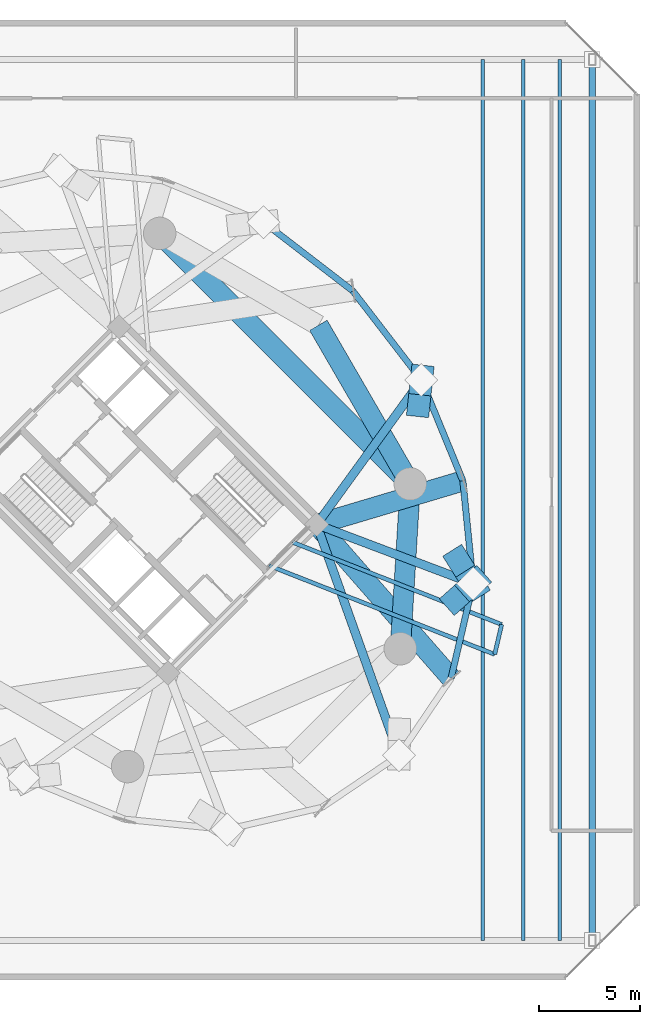
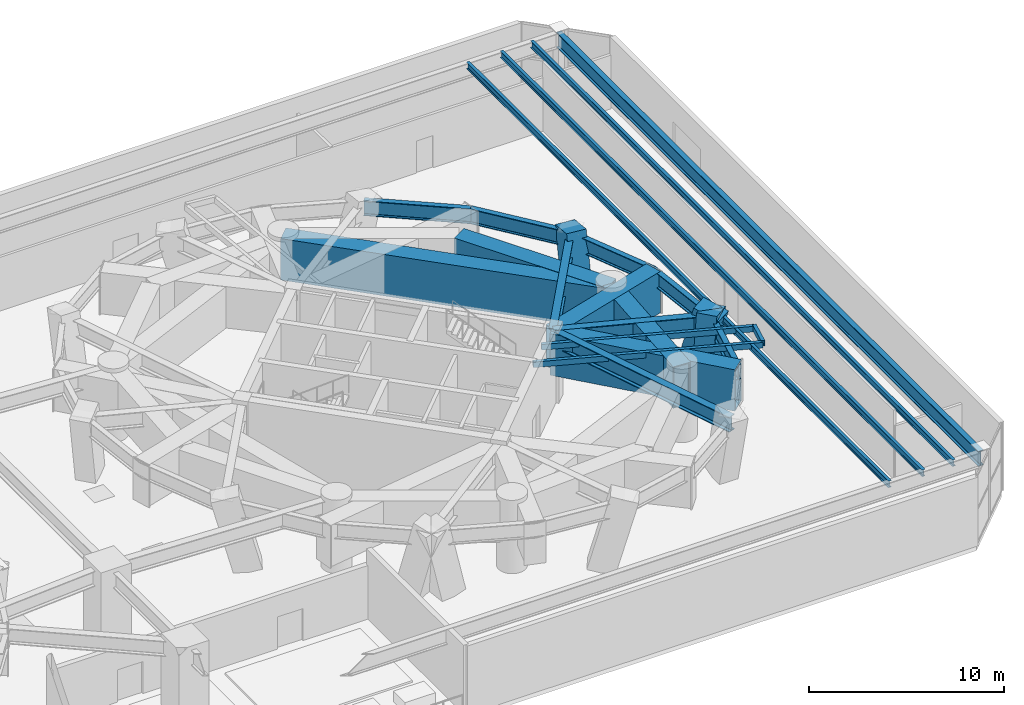
# One storey, part 11 of 25: 20 beams, 3 members.
"""IFC4 building model written with IfcOpenShell, lengths in metres."""

import ifcopenshell
import ifcopenshell.guid

model = None  # the IFC model being written
_history = None  # IfcOwnerHistory: only IFC2X3 demands one
_inside = {}  # id of a spatial element -> (the spatial element, [elements in it])
_under = {}  # id of a project, library or spatial element -> (it, [spatial elements below it])
_declared = {}  # id of a project -> (the project, [libraries it declares])
_typed = {}  # id of a type object -> (the type object, [elements of that type])
_made_of = {}  # id of a material, layer set ... -> (it, [elements and type objects made of it])


def new_model(schema):
    """Start an empty IFC model of exactly this schema.

    Asked for "IFC4X3", IfcOpenShell would pick the latest addendum, in which some entities
    have other attributes; the version numbers below select the first issue.
    IFC2X3 requires an IfcOwnerHistory on every rooted entity: one is made here for all.
    """
    global model, _history
    if schema == "IFC4X3":
        model = ifcopenshell.file(schema_version=(4, 3, 0, 0))
    else:
        model = ifcopenshell.file(schema=schema)
    _inside.clear()
    _under.clear()
    _declared.clear()
    _typed.clear()
    _made_of.clear()
    _history = None
    if model.schema == "IFC2X3":
        org = make("IfcOrganization", Name="unknown")
        user = make(
            "IfcPersonAndOrganization",
            ThePerson=make("IfcPerson", FamilyName="unknown"),
            TheOrganization=org,
        )
        app = make(
            "IfcApplication",
            ApplicationDeveloper=org,
            Version="unknown",
            ApplicationFullName="unknown",
            ApplicationIdentifier="unknown",
        )
        _history = make(
            "IfcOwnerHistory",
            OwningUser=user,
            OwningApplication=app,
            ChangeAction="ADDED",
            CreationDate=0,
        )
    return model


def make(cls, **values):
    """One entity of the class cls with the attributes given. An attribute that is None is left unset."""
    return model.create_entity(
        cls, **{name: value for name, value in values.items() if value is not None}
    )


def rooted(cls, **values):
    """An entity with a GlobalId (a new one), such as an element, a storey or a relation."""
    return make(cls, GlobalId=ifcopenshell.guid.new(), OwnerHistory=_history, **values)


def si_unit(unit_type, name, prefix=None):
    """IfcSIUnit, for example si_unit("LENGTHUNIT", "METRE", prefix="MILLI")."""
    return make("IfcSIUnit", UnitType=unit_type, Prefix=prefix, Name=name)


def assignment(units):
    """IfcUnitAssignment: the units of a project."""
    return None if units is None else make("IfcUnitAssignment", Units=units)


def point(xyz):
    """IfcCartesianPoint."""
    return None if xyz is None else make("IfcCartesianPoint", Coordinates=xyz)


def direction(xyz):
    """IfcDirection."""
    return None if xyz is None else make("IfcDirection", DirectionRatios=xyz)


def frame(location, z_axis=None, x_axis=None):
    """IfcAxis2Placement3D, a coordinate frame: its origin and axes. An axis left out is left unset."""
    return make(
        "IfcAxis2Placement3D",
        Location=point(location),
        Axis=direction(z_axis),
        RefDirection=direction(x_axis),
    )


def frame_2d(location, x_axis=None):
    """IfcAxis2Placement2D, a coordinate frame in the plane: its origin and x axis."""
    return make(
        "IfcAxis2Placement2D", Location=point(location), RefDirection=direction(x_axis)
    )


def origin():
    """The frame at (0, 0, 0) with its axes left unset."""
    return frame((0.0, 0.0, 0.0))


def origin_2d():
    """The frame at (0, 0) in the plane with its x axis left unset."""
    return frame_2d((0.0, 0.0))


def place(relative_to, where):
    """IfcLocalPlacement: puts the frame where relative to a parent placement (None: the world)."""
    return make(
        "IfcLocalPlacement", PlacementRelTo=relative_to, RelativePlacement=where
    )


def context(
    kind, dimensions, precision=None, world=None, true_north=None, identifier=None
):
    """IfcGeometricRepresentationContext, for example the 3D "Model" context."""
    return make(
        "IfcGeometricRepresentationContext",
        ContextIdentifier=identifier,
        ContextType=kind,
        CoordinateSpaceDimension=dimensions,
        Precision=precision,
        WorldCoordinateSystem=world,
        TrueNorth=true_north,
    )


def subcontext(parent, identifier, kind, view, scale=None):
    """IfcGeometricRepresentationSubContext, for example "Body" below "Model"."""
    return make(
        "IfcGeometricRepresentationSubContext",
        ContextIdentifier=identifier,
        ContextType=kind,
        ParentContext=parent,
        TargetScale=scale,
        TargetView=view,
    )


def project(units=None, contexts=None):
    """IfcProject with its units and contexts."""
    return rooted(
        "IfcProject",
        Name="project",
        RepresentationContexts=contexts,
        UnitsInContext=assignment(units),
    )


def spatial(cls, under=None, at=None, **own):
    """A site, building, storey or space (cls), placed at a placement, below another one or the project."""
    s = rooted(cls, ObjectPlacement=at, **own)
    if under is not None:
        _under.setdefault(under.id(), (under, []))[1].append(s)
    return s


def profile(cls, at=None, kind="AREA", **sizes):
    """A parametric profile (cls). Its sizes go by their IFC names, for example OverallWidth=200.0."""
    return make(cls, ProfileType=kind, Position=at, **sizes)


def rectangle(**sizes):
    """IfcRectangleProfileDef."""
    return profile("IfcRectangleProfileDef", **sizes)


def hollow_rectangle(**sizes):
    """IfcRectangleHollowProfileDef."""
    return profile("IfcRectangleHollowProfileDef", **sizes)


def i_section(**sizes):
    """IfcIShapeProfileDef."""
    return profile("IfcIShapeProfileDef", **sizes)


def extrude(swept, where, along, depth):
    """IfcExtrudedAreaSolid: the profile swept, set in the frame where, extruded along a direction by depth."""
    return make(
        "IfcExtrudedAreaSolid",
        SweptArea=swept,
        Position=where,
        ExtrudedDirection=direction(along),
        Depth=depth,
    )


def shape(context_of_items, identifier, shape_type, items):
    """IfcShapeRepresentation: the items that make up one representation, for example the "Body"."""
    return make(
        "IfcShapeRepresentation",
        ContextOfItems=context_of_items,
        RepresentationIdentifier=identifier,
        RepresentationType=shape_type,
        Items=items,
    )


def material(Name=None, Category=None):
    """IfcMaterial."""
    return make("IfcMaterial", Name=Name, Category=Category)


def material_profile(
    of_material, cross_section, Name=None, Category=None, Priority=None
):
    """IfcMaterialProfile: a cross section and its material."""
    return make(
        "IfcMaterialProfile",
        Name=Name,
        Material=of_material,
        Profile=cross_section,
        Priority=Priority,
        Category=Category,
    )


def profile_set(profiles, Name=None, composite=None):
    """IfcMaterialProfileSet."""
    return make(
        "IfcMaterialProfileSet",
        Name=Name,
        MaterialProfiles=profiles,
        CompositeProfile=composite,
    )


def made_of(thing, what):
    """Note that an element or type object is made of a material, layer set ...; save() writes the relation."""
    if what is not None:
        _made_of.setdefault(what.id(), (what, []))[1].append(thing)
    return thing


def type_object(cls, material=None, **own):
    """A type object (cls), such as IfcWallType, which elements share."""
    return made_of(rooted(cls, **own), material)


def element(
    cls,
    number,
    at=None,
    inside=None,
    cuts=None,
    type_object=None,
    material=None,
    context=None,
    identifier="Body",
    shape_type=None,
    held_by="IfcProductDefinitionShape",
    body=None,
    shapes=None,
    **own,
):
    """One element of the class cls, such as IfcWall. Its Tag is "e" and its number.

    at: its placement. inside: the storey or other place that contains it. cuts: it is an
    opening in that element (IfcRelVoidsElement). A single representation is given by context,
    identifier, shape_type and body (its items); several are given by shapes. held_by: the class
    of the entity that holds the representations. save() writes the other relations.
    """
    e = rooted(cls, Tag="e%d" % number, ObjectPlacement=at, **own)
    if body is not None:
        shapes = [shape(context, identifier, shape_type, body)]
    if shapes is not None:
        e.Representation = make(held_by, Representations=shapes)
    if inside is not None:
        _inside.setdefault(inside.id(), (inside, []))[1].append(e)
    if cuts is not None:
        rooted(
            "IfcRelVoidsElement", RelatingBuildingElement=cuts, RelatedOpeningElement=e
        )
    if type_object is not None:
        _typed.setdefault(type_object.id(), (type_object, []))[1].append(e)
    return made_of(e, material)


def aggregate(whole, parts):
    """IfcRelAggregates: a whole, such as a stair, and the parts it consists of."""
    return rooted("IfcRelAggregates", RelatingObject=whole, RelatedObjects=parts)


def save(model, path):
    """Write the relations noted so far, then the file.

    IfcRelAggregates (storeys below a building ...), IfcRelContainedInSpatialStructure (elements
    in a storey), IfcRelDefinesByType, IfcRelAssociatesMaterial and IfcRelDeclares: one each for
    every whole, place, type object, material and project.
    """
    for whole, parts in _under.values():
        aggregate(whole, parts)
    for where, things in _inside.values():
        rooted(
            "IfcRelContainedInSpatialStructure",
            RelatedElements=things,
            RelatingStructure=where,
        )
    for kind, things in _typed.values():
        rooted("IfcRelDefinesByType", RelatedObjects=things, RelatingType=kind)
    for what, things in _made_of.values():
        rooted("IfcRelAssociatesMaterial", RelatedObjects=things, RelatingMaterial=what)
    for by, libraries in _declared.values():
        rooted("IfcRelDeclares", RelatingContext=by, RelatedDefinitions=libraries)
    model.write(path)


model = new_model("IFC4")

# Units and contexts
model_context = context("Model", 3, precision=1e-05, world=origin(), true_north=direction((0.0, 1.0)))
body_context = subcontext(model_context, "Body", "Model", "MODEL_VIEW")
ifc_project = project(units=[si_unit("LENGTHUNIT", "METRE"), si_unit("AREAUNIT", "SQUARE_METRE"), si_unit("VOLUMEUNIT", "CUBIC_METRE"), si_unit("PLANEANGLEUNIT", "RADIAN"), si_unit("MASSUNIT", "GRAM", prefix="KILO")], contexts=[model_context])

# Site, building, storey
site_placement = place(None, origin())
site = spatial("IfcSite", under=ifc_project, at=site_placement, CompositionType="ELEMENT")
building_placement = place(site_placement, origin())
building = spatial("IfcBuilding", under=site, at=building_placement, Name="Cununo Teusaquillo Station Towers", CompositionType="ELEMENT")
storey_placement = place(building_placement, frame((0.0, 0.0, 17.39990234375)))
storey = spatial("IfcBuildingStorey", under=building, at=storey_placement, Name="L04", CompositionType="ELEMENT", Elevation=17.39990234375)

# Beams
ifc_material_1 = material(Name="Steel EN 10025-2 S355J2", Category="steel")
ifc_material_profile_1 = material_profile(ifc_material_1, hollow_rectangle(XDim=0.199951171875, YDim=0.35009765625, WallThickness=0.013916015625, at=origin_2d()), Name="RHS 350x200x14")
ifc_profile_set_1 = profile_set([ifc_material_profile_1], Name="Steel EN 10025-2 S355J2")
beam_type_1 = type_object("IfcBeamType", Name="BM-BAL-CANT", PredefinedType="BEAM", material=ifc_profile_set_1)
beam_1_placement = place(storey_placement, frame((63.6728515625, 21.268310546875, 4.1650390625), z_axis=(0.930596980499, -0.366045434184, 0.0), x_axis=(0.366045434184, 0.930596980499, 0.0)))
element("IfcBeam", 1, at=beam_1_placement, inside=storey, type_object=beam_type_1, Name="L04 Tower B Balcony Cantilever Bracket 2A", PredefinedType="BEAM", context=body_context, shape_type="SweptSolid", body=[
    extrude(hollow_rectangle(XDim=0.199951171875, YDim=0.35009765625, WallThickness=0.013916015625, at=origin_2d()), origin(), (0.0, 0.0, 1.0), 11.9521484375),
])
beam_2_placement = place(storey_placement, frame((64.82666015625, 22.422119140625, 4.1650390625), z_axis=(0.930611104862, -0.366009523794, 0.0), x_axis=(0.366009523794, 0.930611104862, 0.0)))
element("IfcBeam", 2, at=beam_2_placement, inside=storey, type_object=beam_type_1, Name="L04 Tower B Balcony Cantilever Bracket 2B", PredefinedType="BEAM", context=body_context, shape_type="SweptSolid", body=[
    extrude(hollow_rectangle(XDim=0.199951171875, YDim=0.35009765625, WallThickness=0.013916015625, at=origin_2d()), origin(), (0.0, 0.0, 1.0), 11.08154296875),
])
ifc_material_2 = material(Name="Steel ASTM A572 Grade 50", Category="steel")
ifc_material_profile_2 = material_profile(ifc_material_2, i_section(OverallWidth=0.180908203125, OverallDepth=0.4169921875, WebThickness=0.010986328125, FlangeThickness=0.018310546875, FilletRadius=0.012939453125, at=origin_2d()), Name="W16X57")
ifc_profile_set_2 = profile_set([ifc_material_profile_2], Name="Steel ASTM A572 Grade 50")
beam_type_2 = type_object("IfcBeamType", Name="BM-JOIST-1", PredefinedType="JOIST", material=ifc_profile_set_2)
for number, where, z_axis, x_axis, name in (
    (3, (74.199951171875, 2.800048828125, 4.131591796875), (0.0, 1.0, 0.0), (-1.0, 0.0, 0.0), "L04 Floor Secondary Joist 1"),
    (4, (76.199951171875, 2.800048828125, 4.131591796875), (0.0, 1.0, 0.0), (-1.0, 0.0, 0.0), "L04 Floor Secondary Joist 2"),
    (5, (78.0, 2.800048828125, 4.131591796875), (0.0, 1.0, 0.0), (-1.0, 0.0, 0.0), "L04 Floor Secondary Joist 3"),
):
    element("IfcBeam", number, at=place(storey_placement, frame(where, z_axis=z_axis, x_axis=x_axis)), inside=storey, type_object=beam_type_2, Name=name, PredefinedType="JOIST", context=body_context, shape_type="SweptSolid", body=[
        extrude(i_section(OverallWidth=0.180908203125, OverallDepth=0.4169921875, WebThickness=0.010986328125, FlangeThickness=0.018310546875, FilletRadius=0.012939453125, at=origin_2d()), origin(), (0.0, 0.0, 1.0), 43.39990234375),
    ])
ifc_material_3 = material(Name="Steel ASTM A572 Grade 50", Category="steel")
ifc_material_profile_3 = material_profile(ifc_material_3, i_section(OverallWidth=0.30810546875, OverallDepth=0.943115234375, WebThickness=0.022216796875, FlangeThickness=0.039794921875, FilletRadius=0.02392578125, at=origin_2d()), Name="W36X232")
ifc_profile_set_3 = profile_set([ifc_material_profile_3], Name="Steel ASTM A572 Grade 50")
beam_type_3 = type_object("IfcBeamType", Name="BM-POD-SEC", PredefinedType="BEAM", material=ifc_profile_set_3)
beam_3_placement = place(storey_placement, frame((67.80322265625, 34.80322265625, 3.8681640625), z_axis=(-0.792196489167, 0.610266107982, 0.0), x_axis=(-0.610266107982, -0.792196489167, 0.0)))
element("IfcBeam", 6, at=beam_3_placement, inside=storey, type_object=beam_type_3, Name="L04 Tower B Outer Diagrid Shoe Ring Girder 01", PredefinedType="BEAM", context=body_context, shape_type="SweptSolid", body=[
    extrude(i_section(OverallWidth=0.30810546875, OverallDepth=0.943115234375, WebThickness=0.022216796875, FlangeThickness=0.039794921875, FilletRadius=0.02392578125, at=origin_2d()), origin(), (0.0, 0.0, 1.0), 5.54345703125),
])
beam_4_placement = place(storey_placement, frame((72.647705078125, 15.72021484375, 3.8681640625), z_axis=(0.226905318414, 0.973916822154, 0.0), x_axis=(-0.973916822154, 0.226905318414, 0.0)))
element("IfcBeam", 7, at=beam_4_placement, inside=storey, type_object=beam_type_3, Name="L04 Tower B Outer Diagrid Shoe Ring Girder 17", PredefinedType="BEAM", context=body_context, shape_type="SweptSolid", body=[
    extrude(i_section(OverallWidth=0.30810546875, OverallDepth=0.943115234375, WebThickness=0.022216796875, FlangeThickness=0.039794921875, FilletRadius=0.02392578125, at=origin_2d()), origin(), (0.0, 0.0, 1.0), 4.78369140625),
])
beam_5_placement = place(storey_placement, frame((73.733154296875, 20.379150390625, 3.8681640625), z_axis=(-0.0990047934, 0.995086956443, 0.0), x_axis=(-0.995086956443, -0.0990047934, 0.0)))
element("IfcBeam", 8, at=beam_5_placement, inside=storey, type_object=beam_type_3, Name="L04 Tower B Outer Diagrid Shoe Ring Girder 18", PredefinedType="BEAM", context=body_context, shape_type="SweptSolid", body=[
    extrude(i_section(OverallWidth=0.30810546875, OverallDepth=0.943115234375, WebThickness=0.022216796875, FlangeThickness=0.039794921875, FilletRadius=0.02392578125, at=origin_2d()), origin(), (0.0, 0.0, 1.0), 5.087158203125),
])
beam_6_placement = place(storey_placement, frame((73.2294921875, 25.44140625, 3.8681640625), z_axis=(-0.380217331798, 0.924897172988, 0.0), x_axis=(-0.924897172988, -0.380217331798, 0.0)))
element("IfcBeam", 9, at=beam_6_placement, inside=storey, type_object=beam_type_3, Name="L04 Tower B Outer Diagrid Shoe Ring Girder 19", PredefinedType="BEAM", context=body_context, shape_type="SweptSolid", body=[
    extrude(i_section(OverallWidth=0.30810546875, OverallDepth=0.943115234375, WebThickness=0.022216796875, FlangeThickness=0.039794921875, FilletRadius=0.02392578125, at=origin_2d()), origin(), (0.0, 0.0, 1.0), 5.373779296875),
])
beam_7_placement = place(storey_placement, frame((71.186279296875, 30.41162109375, 3.8681640625), z_axis=(-0.610266107982, 0.792196489167, 0.0), x_axis=(-0.792196489167, -0.610266107982, 0.0)))
element("IfcBeam", 10, at=beam_7_placement, inside=storey, type_object=beam_type_3, Name="L04 Tower B Outer Diagrid Shoe Ring Girder 20", PredefinedType="BEAM", context=body_context, shape_type="SweptSolid", body=[
    extrude(i_section(OverallWidth=0.30810546875, OverallDepth=0.943115234375, WebThickness=0.022216796875, FlangeThickness=0.039794921875, FilletRadius=0.02392578125, at=origin_2d()), origin(), (0.0, 0.0, 1.0), 5.54345703125),
])
beam_8_placement = place(storey_placement, frame((79.60009765625, 2.800048828125, 3.86865234375), z_axis=(0.0, 1.0, 0.0), x_axis=(-1.0, 0.0, 0.0)))
element("IfcBeam", 11, at=beam_8_placement, inside=storey, type_object=beam_type_3, Name="L04 Station Podium Girder CAN-E", PredefinedType="BEAM", context=body_context, shape_type="SweptSolid", body=[
    extrude(i_section(OverallWidth=0.30810546875, OverallDepth=0.943115234375, WebThickness=0.022216796875, FlangeThickness=0.039794921875, FilletRadius=0.02392578125, at=origin_2d()), origin(), (0.0, 0.0, 1.0), 43.39990234375),
])
ifc_material_4 = material(Name="Steel ASTM A572 Grade 50", Category="steel")
ifc_material_profile_4 = material_profile(ifc_material_4, i_section(OverallWidth=0.423095703125, OverallDepth=0.947998046875, WebThickness=0.02392578125, FlangeThickness=0.042724609375, FilletRadius=0.02392578125, at=origin_2d()), Name="W36X302")
ifc_profile_set_4 = profile_set([ifc_material_profile_4], Name="Steel ASTM A572 Grade 50")
beam_type_4 = type_object("IfcBeamType", Name="BM-POD-SPAN", PredefinedType="BEAM", material=ifc_profile_set_4)
beam_9_placement = place(storey_placement, frame((66.024169921875, 23.29443359375, 3.8662109375), z_axis=(0.335830426812, -0.941922462004, 0.0), x_axis=(0.941922462004, 0.335830426812, 0.0)))
element("IfcBeam", 12, at=beam_9_placement, inside=storey, type_object=beam_type_4, Name="L04 Tower B Spandrel Support Girder V15", PredefinedType="BEAM", context=body_context, shape_type="SweptSolid", body=[
    extrude(i_section(OverallWidth=0.423095703125, OverallDepth=0.947998046875, WebThickness=0.02392578125, FlangeThickness=0.042724609375, FilletRadius=0.02392578125, at=origin_2d()), origin(), (0.0, 0.0, 1.0), 12.074951171875),
])
beam_10_placement = place(storey_placement, frame((66.024169921875, 23.29443359375, 3.8662109375), z_axis=(0.935351694296, -0.353719108867, 0.0), x_axis=(0.353719108867, 0.935351694296, 0.0)))
element("IfcBeam", 13, at=beam_10_placement, inside=storey, type_object=beam_type_4, Name="L04 Tower B Spandrel Support Girder V17", PredefinedType="BEAM", context=body_context, shape_type="SweptSolid", body=[
    extrude(i_section(OverallWidth=0.423095703125, OverallDepth=0.947998046875, WebThickness=0.02392578125, FlangeThickness=0.042724609375, FilletRadius=0.02392578125, at=origin_2d()), origin(), (0.0, 0.0, 1.0), 8.24169921875),
])
beam_11_placement = place(storey_placement, frame((66.024169921875, 23.29443359375, 3.8662109375), z_axis=(0.587127729658, 0.80949430453, 0.0), x_axis=(-0.80949430453, 0.587127729658, 0.0)))
element("IfcBeam", 14, at=beam_11_placement, inside=storey, type_object=beam_type_4, Name="L04 Tower B Spandrel Support Girder V19", PredefinedType="BEAM", context=body_context, shape_type="SweptSolid", body=[
    extrude(i_section(OverallWidth=0.423095703125, OverallDepth=0.947998046875, WebThickness=0.02392578125, FlangeThickness=0.042724609375, FilletRadius=0.02392578125, at=origin_2d()), origin(), (0.0, 0.0, 1.0), 8.792236328125),
])
ifc_material_5 = material(Name="Steel EN 10025-2 S355J2", Category="steel")
ifc_material_profile_5 = material_profile(ifc_material_5, hollow_rectangle(XDim=0.199951171875, YDim=0.35009765625, WallThickness=0.013916015625, at=origin_2d()), Name="RHS 350x200x14")
ifc_profile_set_5 = profile_set([ifc_material_profile_5], Name="Steel EN 10025-2 S355J2")
beam_type_5 = type_object("IfcBeamType", Name="BM-STAIR-TRIM", PredefinedType="BEAM", material=ifc_profile_set_5)
beam_12_placement = place(storey_placement, frame((74.79541015625, 16.893310546875, 4.215087890625), z_axis=(0.227275540188, 0.973830492864, 0.0), x_axis=(-0.973830492864, 0.227275540188, 0.0)))
element("IfcBeam", 15, at=beam_12_placement, inside=storey, type_object=beam_type_5, Name="L04 Tower B Balcony Edge Trimmer Beam 2", PredefinedType="BEAM", context=body_context, shape_type="SweptSolid", body=[
    extrude(hollow_rectangle(XDim=0.199951171875, YDim=0.35009765625, WallThickness=0.013916015625, at=origin_2d()), origin(), (0.0, 0.0, 1.0), 1.512451171875),
])
ifc_material_6 = material(Name="Steel ASTM A572 Grade 50", Category="steel")
ifc_material_profile_6 = material_profile(ifc_material_6, hollow_rectangle(XDim=1.0, YDim=2.60009765625, WallThickness=0.054931640625, at=origin_2d()), Name="BOX 2600x1000x55")
ifc_profile_set_6 = profile_set([ifc_material_profile_6], Name="Steel ASTM A572 Grade 50")
beam_type_6 = type_object("IfcBeamType", Name="BM-XFER-POD", PredefinedType="USERDEFINED", material=ifc_profile_set_6)
beam_13_placement = place(storey_placement, frame((70.63525390625, 25.291015625, 3.025146484375), z_axis=(-0.707106781187, 0.707106781187, 0.0), x_axis=(-0.707106781187, -0.707106781187, 0.0)))
element("IfcBeam", 16, at=beam_13_placement, inside=storey, type_object=beam_type_6, Name="L04 Tower B Primary Column-to-Column Transfer Girder 01", ObjectType="TRANSFER GIRDER", PredefinedType="USERDEFINED", context=body_context, shape_type="SweptSolid", body=[
    extrude(hollow_rectangle(XDim=1.0, YDim=2.60009765625, WallThickness=0.054931640625, at=origin_2d()), origin(), (0.0, 0.0, 1.0), 17.457275390625),
])
beam_14_placement = place(storey_placement, frame((70.63525390625, 25.291015625, 3.0400390625), z_axis=(-0.501311121078, 0.865267103202, 0.0), x_axis=(-0.865267103202, -0.501311121078, 0.0)))
element("IfcBeam", 17, at=beam_14_placement, inside=storey, type_object=beam_type_6, Name="L04 Tower B Perimeter Transfer Girder 01", ObjectType="TRANSFER GIRDER", PredefinedType="USERDEFINED", context=body_context, shape_type="SweptSolid", body=[
    extrude(hollow_rectangle(XDim=1.0, YDim=2.60009765625, WallThickness=0.054931640625, at=origin_2d()), origin(), (0.0, 0.0, 1.0), 9.032958984375),
])
beam_15_placement = place(storey_placement, frame((70.146240234375, 17.173095703125, 3.0400390625), z_axis=(0.06012979176, 0.998190567048, 0.0), x_axis=(-0.998190567048, 0.06012979176, 0.0)))
element("IfcBeam", 18, at=beam_15_placement, inside=storey, type_object=beam_type_6, Name="L04 Tower B Perimeter Transfer Girder 10", ObjectType="TRANSFER GIRDER", PredefinedType="USERDEFINED", context=body_context, shape_type="SweptSolid", body=[
    extrude(hollow_rectangle(XDim=1.0, YDim=2.60009765625, WallThickness=0.054931640625, at=origin_2d()), origin(), (0.0, 0.0, 1.0), 8.132568359375),
])
beam_16_placement = place(storey_placement, frame((66.024169921875, 23.29443359375, 3.0400390625), z_axis=(0.658284699888, -0.752769057476, 0.0), x_axis=(0.752769057476, 0.658284699888, 0.0)))
element("IfcBeam", 19, at=beam_16_placement, inside=storey, type_object=beam_type_6, Name="L04 Tower B Radial Transfer Girder 09", ObjectType="TRANSFER GIRDER", PredefinedType="USERDEFINED", context=body_context, shape_type="SweptSolid", body=[
    extrude(hollow_rectangle(XDim=1.0, YDim=2.60009765625, WallThickness=0.054931640625, at=origin_2d()), origin(), (0.0, 0.0, 1.0), 10.061767578125),
])
beam_17_placement = place(storey_placement, frame((66.024169921875, 23.29443359375, 3.0400390625), z_axis=(0.958359971767, 0.285562890649, 0.0), x_axis=(-0.285562890649, 0.958359971767, 0.0)))
element("IfcBeam", 20, at=beam_17_placement, inside=storey, type_object=beam_type_6, Name="L04 Tower B Radial Transfer Girder 10", ObjectType="TRANSFER GIRDER", PredefinedType="USERDEFINED", context=body_context, shape_type="SweptSolid", body=[
    extrude(hollow_rectangle(XDim=1.0, YDim=2.60009765625, WallThickness=0.054931640625, at=origin_2d()), origin(), (0.0, 0.0, 1.0), 7.518310546875),
])

# Members
ifc_material_7 = material(Name="Concrete C60/75", Category="concrete")
ifc_material_profile_7 = material_profile(ifc_material_7, rectangle(XDim=1.10009765625, YDim=1.5, at=origin_2d()), Name="RC-RECT-1500x1100")
ifc_profile_set_7 = profile_set([ifc_material_profile_7], Name="Concrete C60/75")
member_type = type_object("IfcMemberType", Name="MBR-VFOOT", PredefinedType="USERDEFINED", material=ifc_profile_set_7)
member_1_placement = place(storey_placement, frame((72.983154296875, 19.708740234375, 0.0), z_axis=(0.159276066323, 0.142373723347, 0.97691394585), x_axis=(-0.666440076074, 0.745558599308, 0.0)))
element("IfcMember", 21, at=member_1_placement, inside=storey, type_object=member_type, Name="L04 Tower B Sloping Concrete V-Foot V16R", ObjectType="V FOOT STRUT", PredefinedType="USERDEFINED", context=body_context, shape_type="SweptSolid", body=[
    extrude(rectangle(XDim=1.10009765625, YDim=1.5, at=origin_2d()), origin(), (0.0, 0.0, 1.0), 4.708740234375),
])
member_2_placement = place(storey_placement, frame((73.08544921875, 21.40625, 0.0), z_axis=(0.136139345162, -0.215883235996, 0.966881847547), x_axis=(0.845856581236, 0.533410389831, 0.0)))
element("IfcMember", 22, at=member_2_placement, inside=storey, type_object=member_type, Name="L04 Tower B Sloping Concrete V-Foot V18L", ObjectType="V FOOT STRUT", PredefinedType="USERDEFINED", context=body_context, shape_type="SweptSolid", body=[
    extrude(rectangle(XDim=1.10009765625, YDim=1.5, at=origin_2d()), origin(), (0.0, 0.0, 1.0), 4.757568359375),
])
member_3_placement = place(storey_placement, frame((71.071044921875, 29.341064453125, 0.0), z_axis=(0.024391153491, 0.226600017076, 0.973682445098), x_axis=(-0.994256709277, 0.10702147475, 0.0)))
element("IfcMember", 23, at=member_3_placement, inside=storey, type_object=member_type, Name="L04 Tower B Sloping Concrete V-Foot V18R", ObjectType="V FOOT STRUT", PredefinedType="USERDEFINED", context=body_context, shape_type="SweptSolid", body=[
    extrude(rectangle(XDim=1.10009765625, YDim=1.5, at=origin_2d()), origin(), (0.0, 0.0, 1.0), 4.724365234375),
])

save(model, "model.ifc")
